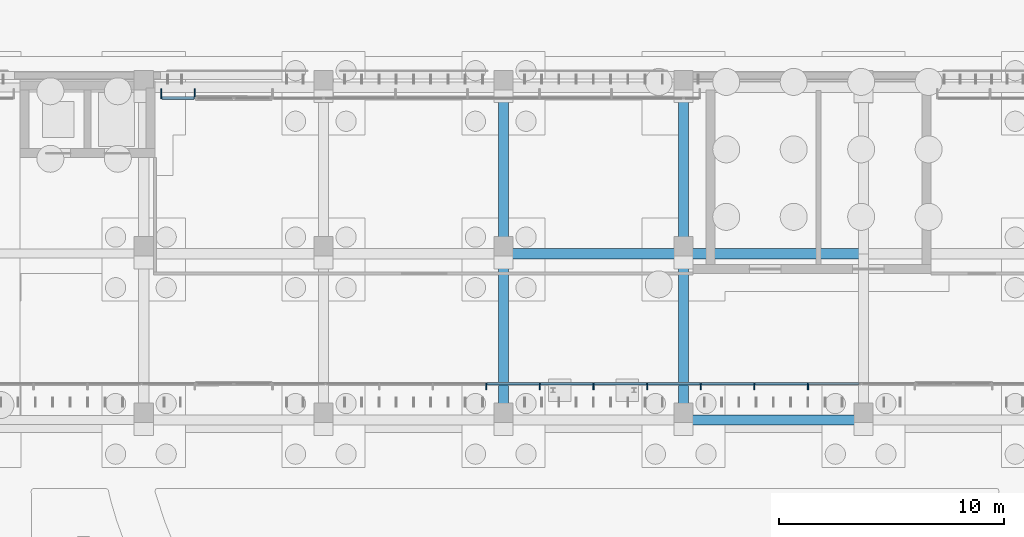
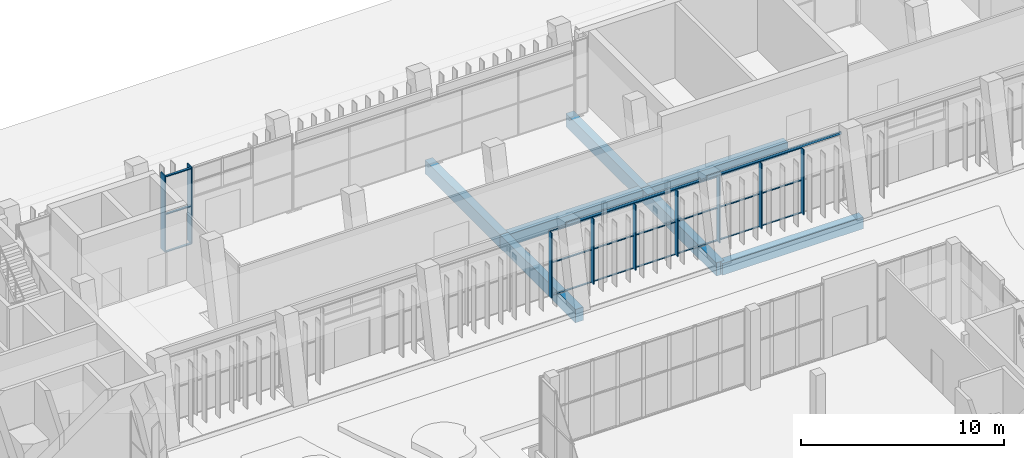
# One storey, part 64 of 144: 30 members, 9 beams, 2 elements without a shape of their own.
"""IFC4 building model written with IfcOpenShell, lengths in metres."""

from ifc_helpers import new_model, si_unit, direction, frame, origin, origin_2d, place, context, subcontext, project, spatial, rectangle, hollow_rectangle, extrude, material, material_profile, profile_set, type_object, element, aggregate, save


model = new_model("IFC4")

# Units and contexts
model_context = context("Model", 3, precision=1e-05, world=origin(), true_north=direction((0.0, 1.0)))
body_context = subcontext(model_context, "Body", "Model", "MODEL_VIEW")
ifc_project = project(units=[si_unit("LENGTHUNIT", "METRE"), si_unit("AREAUNIT", "SQUARE_METRE"), si_unit("VOLUMEUNIT", "CUBIC_METRE"), si_unit("PLANEANGLEUNIT", "RADIAN"), si_unit("MASSUNIT", "GRAM", prefix="KILO")], contexts=[model_context])

# Site, building, storey
site_placement = place(None, origin())
site = spatial("IfcSite", under=ifc_project, at=site_placement, CompositionType="ELEMENT")
building_placement = place(site_placement, origin())
building = spatial("IfcBuilding", under=site, at=building_placement, Name="Lantern Court Media Centre", CompositionType="ELEMENT")
storey_placement = place(building_placement, origin())
storey = spatial("IfcBuildingStorey", under=building, at=storey_placement, Name="L00", CompositionType="ELEMENT", Elevation=0.0)

# Curtain wall, members
ifc_material_1 = material(Name="Curtain wall bay 2400")
curtain_wall_type_1 = type_object("IfcCurtainWallType", Name="Curtain wall bay 2400", PredefinedType="NOTDEFINED", material=ifc_material_1)
curtain_wall_1_placement = place(storey_placement, origin())
curtain_wall_1 = element("IfcCurtainWall", 1, at=curtain_wall_1_placement, inside=storey, type_object=curtain_wall_type_1, Name="Curtain wall N inner L00", PredefinedType="NOTDEFINED")
ifc_material_2 = material(Name="Anodised aluminium", Category="aluminium")
ifc_material_profile_1 = material_profile(ifc_material_2, rectangle(XDim=0.300048828125, YDim=0.050048828125, at=origin_2d()), Name="AL 50x300")
ifc_profile_set_1 = profile_set([ifc_material_profile_1], Name="Anodised aluminium")
member_type_1 = type_object("IfcMemberType", Name="Curtain wall mullion 50x300", PredefinedType="MULLION", material=ifc_profile_set_1)
member_1_placement = place(storey_placement, frame((47.2333984375, 98.030029296875, 0.0), z_axis=(0.0, 0.0, 1.0), x_axis=(0.0, 1.0, 0.0)))
member_1 = element("IfcMember", 2, at=member_1_placement, type_object=member_type_1, Name="CW2 mullion 5", PredefinedType="MULLION", context=body_context, shape_type="SweptSolid", body=[
    extrude(rectangle(XDim=0.300048828125, YDim=0.050048828125, at=origin_2d()), origin(), (0.0, 0.0, 1.0), 3.949951171875),
])
member_2_placement = place(storey_placement, frame((49.61669921875, 98.030029296875, 0.0), z_axis=(0.0, 0.0, 1.0), x_axis=(0.0, 1.0, 0.0)))
member_2 = element("IfcMember", 3, at=member_2_placement, type_object=member_type_1, Name="CW2 mullion 6", PredefinedType="MULLION", context=body_context, shape_type="SweptSolid", body=[
    extrude(rectangle(XDim=0.300048828125, YDim=0.050048828125, at=origin_2d()), origin(), (0.0, 0.0, 1.0), 3.949951171875),
])
member_3_placement = place(storey_placement, frame((52.0, 98.030029296875, 0.0), z_axis=(0.0, 0.0, 1.0), x_axis=(0.0, 1.0, 0.0)))
member_3 = element("IfcMember", 4, at=member_3_placement, type_object=member_type_1, Name="CW2 mullion 7", PredefinedType="MULLION", context=body_context, shape_type="SweptSolid", body=[
    extrude(rectangle(XDim=0.300048828125, YDim=0.050048828125, at=origin_2d()), origin(), (0.0, 0.0, 1.0), 3.949951171875),
])
member_4_placement = place(storey_placement, frame((54.38330078125, 98.030029296875, 0.0), z_axis=(0.0, 0.0, 1.0), x_axis=(0.0, 1.0, 0.0)))
member_4 = element("IfcMember", 5, at=member_4_placement, type_object=member_type_1, Name="CW2 mullion 8", PredefinedType="MULLION", context=body_context, shape_type="SweptSolid", body=[
    extrude(rectangle(XDim=0.300048828125, YDim=0.050048828125, at=origin_2d()), origin(), (0.0, 0.0, 1.0), 3.949951171875),
])
member_5_placement = place(storey_placement, frame((56.7666015625, 98.030029296875, 0.0), z_axis=(0.0, 0.0, 1.0), x_axis=(0.0, 1.0, 0.0)))
member_5 = element("IfcMember", 6, at=member_5_placement, type_object=member_type_1, Name="CW2 mullion 9", PredefinedType="MULLION", context=body_context, shape_type="SweptSolid", body=[
    extrude(rectangle(XDim=0.300048828125, YDim=0.050048828125, at=origin_2d()), origin(), (0.0, 0.0, 1.0), 3.949951171875),
])
member_6_placement = place(storey_placement, frame((59.14990234375, 98.030029296875, 0.0), z_axis=(0.0, 0.0, 1.0), x_axis=(0.0, 1.0, 0.0)))
member_6 = element("IfcMember", 7, at=member_6_placement, type_object=member_type_1, Name="CW2 mullion 10", PredefinedType="MULLION", context=body_context, shape_type="SweptSolid", body=[
    extrude(rectangle(XDim=0.300048828125, YDim=0.050048828125, at=origin_2d()), origin(), (0.0, 0.0, 1.0), 3.949951171875),
])
member_7_placement = place(storey_placement, frame((61.533447265625, 98.030029296875, 0.0), z_axis=(0.0, 0.0, 1.0), x_axis=(0.0, 1.0, 0.0)))
member_7 = element("IfcMember", 8, at=member_7_placement, type_object=member_type_1, Name="CW2 mullion 11", PredefinedType="MULLION", context=body_context, shape_type="SweptSolid", body=[
    extrude(rectangle(XDim=0.300048828125, YDim=0.050048828125, at=origin_2d()), origin(), (0.0, 0.0, 1.0), 3.949951171875),
])

ifc_material_3 = material(Name="Curtain wall bay 3000")
curtain_wall_type_2 = type_object("IfcCurtainWallType", Name="Curtain wall bay 3000", PredefinedType="NOTDEFINED", material=ifc_material_3)
curtain_wall_2_placement = place(storey_placement, origin())
curtain_wall_2 = element("IfcCurtainWall", 9, at=curtain_wall_2_placement, inside=storey, type_object=curtain_wall_type_2, Name="Curtain wall N outer L00", PredefinedType="NOTDEFINED")
ifc_material_profile_2 = material_profile(ifc_material_2, rectangle(XDim=0.449951171875, YDim=0.06005859375, at=origin_2d()), Name="AL 60x450")
ifc_profile_set_2 = profile_set([ifc_material_profile_2], Name="Anodised aluminium")
member_type_2 = type_object("IfcMemberType", Name="Curtain wall mullion 60x450", PredefinedType="MULLION", material=ifc_profile_set_2)
member_8_placement = place(storey_placement, frame((32.780029296875, 111.044921875, 0.0), z_axis=(0.0, 0.0, 1.0), x_axis=(0.0, 1.0, 0.0)))
member_8 = element("IfcMember", 10, at=member_8_placement, type_object=member_type_2, Name="CW1 mullion 1", PredefinedType="MULLION", context=body_context, shape_type="SweptSolid", body=[
    extrude(rectangle(XDim=0.449951171875, YDim=0.06005859375, at=origin_2d()), origin(), (0.0, 0.0, 1.0), 4.580078125),
])
member_9_placement = place(storey_placement, frame((34.27001953125, 111.044921875, 0.0), z_axis=(0.0, 0.0, 1.0), x_axis=(0.0, 1.0, 0.0)))
member_9 = element("IfcMember", 11, at=member_9_placement, type_object=member_type_2, Name="CW1 mullion 2", PredefinedType="MULLION", context=body_context, shape_type="SweptSolid", body=[
    extrude(rectangle(XDim=0.449951171875, YDim=0.06005859375, at=origin_2d()), origin(), (0.0, 0.0, 1.0), 4.580078125),
])

# Member
ifc_material_profile_3 = material_profile(ifc_material_2, rectangle(XDim=0.10009765625, YDim=0.050048828125, at=origin_2d()), Name="AL 50x100")
ifc_profile_set_3 = profile_set([ifc_material_profile_3], Name="Anodised aluminium")
member_type_3 = type_object("IfcMemberType", Name="Curtain wall transom 100x50", PredefinedType="USERDEFINED", material=ifc_profile_set_3)
member_10_placement = place(storey_placement, frame((47.25830078125, 98.14990234375, 0.02490234375), z_axis=(1.0, 0.0, 0.0), x_axis=(0.0, 1.0, 0.0)))
member_10 = element("IfcMember", 12, at=member_10_placement, type_object=member_type_3, Name="CW2 transom 5.1", ObjectType="TRANSOM", PredefinedType="USERDEFINED", context=body_context, shape_type="SweptSolid", body=[
    extrude(rectangle(XDim=0.10009765625, YDim=0.050048828125, at=origin_2d()), origin(), (0.0, 0.0, 1.0), 2.333251953125),
])

member_11_placement = place(storey_placement, frame((47.25830078125, 98.14990234375, 1.97509765625), z_axis=(1.0, 0.0, 0.0), x_axis=(0.0, 1.0, 0.0)))
member_11 = element("IfcMember", 13, at=member_11_placement, type_object=member_type_3, Name="CW2 transom 5.2", ObjectType="TRANSOM", PredefinedType="USERDEFINED", context=body_context, shape_type="SweptSolid", body=[
    extrude(rectangle(XDim=0.10009765625, YDim=0.050048828125, at=origin_2d()), origin(), (0.0, 0.0, 1.0), 2.333251953125),
])

member_12_placement = place(storey_placement, frame((47.25830078125, 98.14990234375, 3.925048828125), z_axis=(1.0, 0.0, 0.0), x_axis=(0.0, 1.0, 0.0)))
member_12 = element("IfcMember", 14, at=member_12_placement, type_object=member_type_3, Name="CW2 transom 5.3", ObjectType="TRANSOM", PredefinedType="USERDEFINED", context=body_context, shape_type="SweptSolid", body=[
    extrude(rectangle(XDim=0.10009765625, YDim=0.050048828125, at=origin_2d()), origin(), (0.0, 0.0, 1.0), 2.333251953125),
])

member_13_placement = place(storey_placement, frame((49.6416015625, 98.14990234375, 0.02490234375), z_axis=(1.0, 0.0, 0.0), x_axis=(0.0, 1.0, 0.0)))
member_13 = element("IfcMember", 15, at=member_13_placement, type_object=member_type_3, Name="CW2 transom 6.1", ObjectType="TRANSOM", PredefinedType="USERDEFINED", context=body_context, shape_type="SweptSolid", body=[
    extrude(rectangle(XDim=0.10009765625, YDim=0.050048828125, at=origin_2d()), origin(), (0.0, 0.0, 1.0), 2.33349609375),
])

member_14_placement = place(storey_placement, frame((49.6416015625, 98.14990234375, 1.97509765625), z_axis=(1.0, 0.0, 0.0), x_axis=(0.0, 1.0, 0.0)))
member_14 = element("IfcMember", 16, at=member_14_placement, type_object=member_type_3, Name="CW2 transom 6.2", ObjectType="TRANSOM", PredefinedType="USERDEFINED", context=body_context, shape_type="SweptSolid", body=[
    extrude(rectangle(XDim=0.10009765625, YDim=0.050048828125, at=origin_2d()), origin(), (0.0, 0.0, 1.0), 2.33349609375),
])

member_15_placement = place(storey_placement, frame((49.6416015625, 98.14990234375, 3.925048828125), z_axis=(1.0, 0.0, 0.0), x_axis=(0.0, 1.0, 0.0)))
member_15 = element("IfcMember", 17, at=member_15_placement, type_object=member_type_3, Name="CW2 transom 6.3", ObjectType="TRANSOM", PredefinedType="USERDEFINED", context=body_context, shape_type="SweptSolid", body=[
    extrude(rectangle(XDim=0.10009765625, YDim=0.050048828125, at=origin_2d()), origin(), (0.0, 0.0, 1.0), 2.33349609375),
])

member_16_placement = place(storey_placement, frame((52.02490234375, 98.14990234375, 0.02490234375), z_axis=(1.0, 0.0, 0.0), x_axis=(0.0, 1.0, 0.0)))
member_16 = element("IfcMember", 18, at=member_16_placement, type_object=member_type_3, Name="CW2 transom 7.1", ObjectType="TRANSOM", PredefinedType="USERDEFINED", context=body_context, shape_type="SweptSolid", body=[
    extrude(rectangle(XDim=0.10009765625, YDim=0.050048828125, at=origin_2d()), origin(), (0.0, 0.0, 1.0), 2.33349609375),
])

member_17_placement = place(storey_placement, frame((52.02490234375, 98.14990234375, 1.97509765625), z_axis=(1.0, 0.0, 0.0), x_axis=(0.0, 1.0, 0.0)))
member_17 = element("IfcMember", 19, at=member_17_placement, type_object=member_type_3, Name="CW2 transom 7.2", ObjectType="TRANSOM", PredefinedType="USERDEFINED", context=body_context, shape_type="SweptSolid", body=[
    extrude(rectangle(XDim=0.10009765625, YDim=0.050048828125, at=origin_2d()), origin(), (0.0, 0.0, 1.0), 2.33349609375),
])

member_18_placement = place(storey_placement, frame((52.02490234375, 98.14990234375, 3.925048828125), z_axis=(1.0, 0.0, 0.0), x_axis=(0.0, 1.0, 0.0)))
member_18 = element("IfcMember", 20, at=member_18_placement, type_object=member_type_3, Name="CW2 transom 7.3", ObjectType="TRANSOM", PredefinedType="USERDEFINED", context=body_context, shape_type="SweptSolid", body=[
    extrude(rectangle(XDim=0.10009765625, YDim=0.050048828125, at=origin_2d()), origin(), (0.0, 0.0, 1.0), 2.33349609375),
])

member_19_placement = place(storey_placement, frame((54.408447265625, 98.14990234375, 0.02490234375), z_axis=(1.0, 0.0, 0.0), x_axis=(0.0, 1.0, 0.0)))
member_19 = element("IfcMember", 21, at=member_19_placement, type_object=member_type_3, Name="CW2 transom 8.1", ObjectType="TRANSOM", PredefinedType="USERDEFINED", context=body_context, shape_type="SweptSolid", body=[
    extrude(rectangle(XDim=0.10009765625, YDim=0.050048828125, at=origin_2d()), origin(), (0.0, 0.0, 1.0), 2.333251953125),
])

member_20_placement = place(storey_placement, frame((54.408447265625, 98.14990234375, 1.97509765625), z_axis=(1.0, 0.0, 0.0), x_axis=(0.0, 1.0, 0.0)))
member_20 = element("IfcMember", 22, at=member_20_placement, type_object=member_type_3, Name="CW2 transom 8.2", ObjectType="TRANSOM", PredefinedType="USERDEFINED", context=body_context, shape_type="SweptSolid", body=[
    extrude(rectangle(XDim=0.10009765625, YDim=0.050048828125, at=origin_2d()), origin(), (0.0, 0.0, 1.0), 2.333251953125),
])

member_21_placement = place(storey_placement, frame((54.408447265625, 98.14990234375, 3.925048828125), z_axis=(1.0, 0.0, 0.0), x_axis=(0.0, 1.0, 0.0)))
member_21 = element("IfcMember", 23, at=member_21_placement, type_object=member_type_3, Name="CW2 transom 8.3", ObjectType="TRANSOM", PredefinedType="USERDEFINED", context=body_context, shape_type="SweptSolid", body=[
    extrude(rectangle(XDim=0.10009765625, YDim=0.050048828125, at=origin_2d()), origin(), (0.0, 0.0, 1.0), 2.333251953125),
])

member_22_placement = place(storey_placement, frame((56.791748046875, 98.14990234375, 0.02490234375), z_axis=(1.0, 0.0, 0.0), x_axis=(0.0, 1.0, 0.0)))
member_22 = element("IfcMember", 24, at=member_22_placement, type_object=member_type_3, Name="CW2 transom 9.1", ObjectType="TRANSOM", PredefinedType="USERDEFINED", context=body_context, shape_type="SweptSolid", body=[
    extrude(rectangle(XDim=0.10009765625, YDim=0.050048828125, at=origin_2d()), origin(), (0.0, 0.0, 1.0), 2.333251953125),
])

member_23_placement = place(storey_placement, frame((56.791748046875, 98.14990234375, 1.97509765625), z_axis=(1.0, 0.0, 0.0), x_axis=(0.0, 1.0, 0.0)))
member_23 = element("IfcMember", 25, at=member_23_placement, type_object=member_type_3, Name="CW2 transom 9.2", ObjectType="TRANSOM", PredefinedType="USERDEFINED", context=body_context, shape_type="SweptSolid", body=[
    extrude(rectangle(XDim=0.10009765625, YDim=0.050048828125, at=origin_2d()), origin(), (0.0, 0.0, 1.0), 2.333251953125),
])

member_24_placement = place(storey_placement, frame((56.791748046875, 98.14990234375, 3.925048828125), z_axis=(1.0, 0.0, 0.0), x_axis=(0.0, 1.0, 0.0)))
member_24 = element("IfcMember", 26, at=member_24_placement, type_object=member_type_3, Name="CW2 transom 9.3", ObjectType="TRANSOM", PredefinedType="USERDEFINED", context=body_context, shape_type="SweptSolid", body=[
    extrude(rectangle(XDim=0.10009765625, YDim=0.050048828125, at=origin_2d()), origin(), (0.0, 0.0, 1.0), 2.333251953125),
])

member_25_placement = place(storey_placement, frame((59.175048828125, 98.14990234375, 0.02490234375), z_axis=(1.0, 0.0, 0.0), x_axis=(0.0, 1.0, 0.0)))
member_25 = element("IfcMember", 27, at=member_25_placement, type_object=member_type_3, Name="CW2 transom 10.1", ObjectType="TRANSOM", PredefinedType="USERDEFINED", context=body_context, shape_type="SweptSolid", body=[
    extrude(rectangle(XDim=0.10009765625, YDim=0.050048828125, at=origin_2d()), origin(), (0.0, 0.0, 1.0), 2.333251953125),
])

member_26_placement = place(storey_placement, frame((59.175048828125, 98.14990234375, 1.97509765625), z_axis=(1.0, 0.0, 0.0), x_axis=(0.0, 1.0, 0.0)))
member_26 = element("IfcMember", 28, at=member_26_placement, type_object=member_type_3, Name="CW2 transom 10.2", ObjectType="TRANSOM", PredefinedType="USERDEFINED", context=body_context, shape_type="SweptSolid", body=[
    extrude(rectangle(XDim=0.10009765625, YDim=0.050048828125, at=origin_2d()), origin(), (0.0, 0.0, 1.0), 2.333251953125),
])

member_27_placement = place(storey_placement, frame((59.175048828125, 98.14990234375, 3.925048828125), z_axis=(1.0, 0.0, 0.0), x_axis=(0.0, 1.0, 0.0)))
member_27 = element("IfcMember", 29, at=member_27_placement, type_object=member_type_3, Name="CW2 transom 10.3", ObjectType="TRANSOM", PredefinedType="USERDEFINED", context=body_context, shape_type="SweptSolid", body=[
    extrude(rectangle(XDim=0.10009765625, YDim=0.050048828125, at=origin_2d()), origin(), (0.0, 0.0, 1.0), 2.333251953125),
])

aggregate(curtain_wall_1, [member_1, member_2, member_3, member_4, member_5, member_6, member_7, member_10, member_11, member_12, member_13, member_14, member_15, member_16, member_17, member_18, member_19, member_20, member_21, member_22, member_23, member_24, member_25, member_26, member_27])

ifc_material_profile_4 = material_profile(ifc_material_2, rectangle(XDim=0.1201171875, YDim=0.06005859375, at=origin_2d()), Name="AL 60x120")
ifc_profile_set_4 = profile_set([ifc_material_profile_4], Name="Anodised aluminium")
member_type_4 = type_object("IfcMemberType", Name="Curtain wall transom 60x120", PredefinedType="USERDEFINED", material=ifc_profile_set_4)
member_28_placement = place(storey_placement, frame((32.81005859375, 110.85009765625, 0.030029296875), z_axis=(1.0, 0.0, 0.0), x_axis=(0.0, 1.0, 0.0)))
member_28 = element("IfcMember", 30, at=member_28_placement, type_object=member_type_4, Name="CW1 transom 1.1", ObjectType="TRANSOM", PredefinedType="USERDEFINED", context=body_context, shape_type="SweptSolid", body=[
    extrude(rectangle(XDim=0.1201171875, YDim=0.06005859375, at=origin_2d()), origin(), (0.0, 0.0, 1.0), 1.429931640625),
])

member_29_placement = place(storey_placement, frame((32.81005859375, 110.85009765625, 2.2900390625), z_axis=(1.0, 0.0, 0.0), x_axis=(0.0, 1.0, 0.0)))
member_29 = element("IfcMember", 31, at=member_29_placement, type_object=member_type_4, Name="CW1 transom 1.2", ObjectType="TRANSOM", PredefinedType="USERDEFINED", context=body_context, shape_type="SweptSolid", body=[
    extrude(rectangle(XDim=0.1201171875, YDim=0.06005859375, at=origin_2d()), origin(), (0.0, 0.0, 1.0), 1.429931640625),
])

member_30_placement = place(storey_placement, frame((32.81005859375, 110.85009765625, 4.550048828125), z_axis=(1.0, 0.0, 0.0), x_axis=(0.0, 1.0, 0.0)))
member_30 = element("IfcMember", 32, at=member_30_placement, type_object=member_type_4, Name="CW1 transom 1.3", ObjectType="TRANSOM", PredefinedType="USERDEFINED", context=body_context, shape_type="SweptSolid", body=[
    extrude(rectangle(XDim=0.1201171875, YDim=0.06005859375, at=origin_2d()), origin(), (0.0, 0.0, 1.0), 1.429931640625),
])

aggregate(curtain_wall_2, [member_8, member_9, member_28, member_29, member_30])

# Beams
ifc_material_4 = material(Name="Steel S355J2 (EN 10025-2)", Category="steel")
ifc_material_profile_5 = material_profile(ifc_material_4, hollow_rectangle(XDim=0.10009765625, YDim=0.14990234375, WallThickness=0.00634765625, InnerFilletRadius=0.00634765625, OuterFilletRadius=0.009521484375, at=origin_2d()), Name="Facade head lintel RHS 150x100x6.3")
ifc_profile_set_5 = profile_set([ifc_material_profile_5], Name="Steel S355J2 (EN 10025-2)")
beam_type_1 = type_object("IfcBeamType", Name="Facade head lintel RHS 150x100x6.3", PredefinedType="BEAM", material=ifc_profile_set_5)
for number, where, z_axis, x_axis, name in (
    (33, (48.199951171875, 98.14990234375, 4.02490234375), (1.0, 0.0, 0.0), (0.0, 1.0, 0.0), "Facade head lintel N L00"),
    (34, (56.199951171875, 98.14990234375, 4.02490234375), (1.0, 0.0, 0.0), (0.0, 1.0, 0.0), "Facade head lintel N L00"),
):
    element("IfcBeam", number, at=place(storey_placement, frame(where, z_axis=z_axis, x_axis=x_axis)), inside=storey, type_object=beam_type_1, Name=name, PredefinedType="BEAM", context=body_context, shape_type="SweptSolid", body=[
        extrude(hollow_rectangle(XDim=0.10009765625, YDim=0.14990234375, WallThickness=0.00634765625, InnerFilletRadius=0.00634765625, OuterFilletRadius=0.009521484375, at=origin_2d()), origin(), (0.0, 0.0, 1.0), 7.60009765625),
    ])
ifc_material_5 = material(Name="Concrete C35", Category="concrete")
ifc_material_profile_6 = material_profile(ifc_material_5, rectangle(XDim=0.449951171875, YDim=0.699951171875, at=origin_2d()), Name="RC 450x700")
ifc_profile_set_6 = profile_set([ifc_material_profile_6], Name="Concrete C35")
beam_type_2 = type_object("IfcBeamType", Name="RC BEAM 450x700", PredefinedType="BEAM", material=ifc_profile_set_6)
for number, where, z_axis, x_axis, name in (
    (35, (56.0, 96.527099609375, -0.35009765625), (1.0, 0.0, 0.0), (0.0, 1.0, 0.0), "LB-N-L00-0-4"),
    (36, (48.0, 103.927001953125, -0.35009765625), (1.0, 0.0, 0.0), (0.0, 1.0, 0.0), "LB-N-L00-1-3"),
    (37, (56.0, 103.927001953125, -0.35009765625), (1.0, 0.0, 0.0), (0.0, 1.0, 0.0), "LB-N-L00-1-4"),
):
    element("IfcBeam", number, at=place(storey_placement, frame(where, z_axis=z_axis, x_axis=x_axis)), inside=storey, type_object=beam_type_2, Name=name, PredefinedType="BEAM", context=body_context, shape_type="SweptSolid", body=[
        extrude(rectangle(XDim=0.449951171875, YDim=0.699951171875, at=origin_2d()), origin(), (0.0, 0.0, 1.0), 8.0),
    ])
ifc_material_profile_7 = material_profile(ifc_material_5, rectangle(XDim=0.449951171875, YDim=0.800048828125, at=origin_2d()), Name="RC 450x800")
ifc_profile_set_7 = profile_set([ifc_material_profile_7], Name="Concrete C35")
beam_type_3 = type_object("IfcBeamType", Name="RC BEAM 450x800", PredefinedType="BEAM", material=ifc_profile_set_7)
beam_1_placement = place(storey_placement, frame((48.0, 96.5166015625, -0.39990234375), z_axis=(0.0, 1.0, 0.0), x_axis=(-1.0, 0.0, 0.0)))
element("IfcBeam", 38, at=beam_1_placement, inside=storey, type_object=beam_type_3, Name="TB-N-L00-3-1", PredefinedType="BEAM", context=body_context, shape_type="SweptSolid", body=[
    extrude(rectangle(XDim=0.449951171875, YDim=0.800048828125, at=origin_2d()), origin(), (0.0, 0.0, 1.0), 7.400146484375),
])
beam_2_placement = place(storey_placement, frame((48.0, 103.916748046875, -0.39990234375), z_axis=(0.0, 1.0, 0.0), x_axis=(-1.0, 0.0, 0.0)))
element("IfcBeam", 39, at=beam_2_placement, inside=storey, type_object=beam_type_3, Name="TB-N-L00-3-2", PredefinedType="BEAM", context=body_context, shape_type="SweptSolid", body=[
    extrude(rectangle(XDim=0.449951171875, YDim=0.800048828125, at=origin_2d()), origin(), (0.0, 0.0, 1.0), 7.39990234375),
])
beam_3_placement = place(storey_placement, frame((56.0, 96.5166015625, -0.39990234375), z_axis=(0.0, 1.0, 0.0), x_axis=(-1.0, 0.0, 0.0)))
element("IfcBeam", 40, at=beam_3_placement, inside=storey, type_object=beam_type_3, Name="TB-N-L00-4-1", PredefinedType="BEAM", context=body_context, shape_type="SweptSolid", body=[
    extrude(rectangle(XDim=0.449951171875, YDim=0.800048828125, at=origin_2d()), origin(), (0.0, 0.0, 1.0), 7.400146484375),
])
beam_4_placement = place(storey_placement, frame((56.0, 103.916748046875, -0.39990234375), z_axis=(0.0, 1.0, 0.0), x_axis=(-1.0, 0.0, 0.0)))
element("IfcBeam", 41, at=beam_4_placement, inside=storey, type_object=beam_type_3, Name="TB-N-L00-4-2", PredefinedType="BEAM", context=body_context, shape_type="SweptSolid", body=[
    extrude(rectangle(XDim=0.449951171875, YDim=0.800048828125, at=origin_2d()), origin(), (0.0, 0.0, 1.0), 7.39990234375),
])

save(model, "model.ifc")
